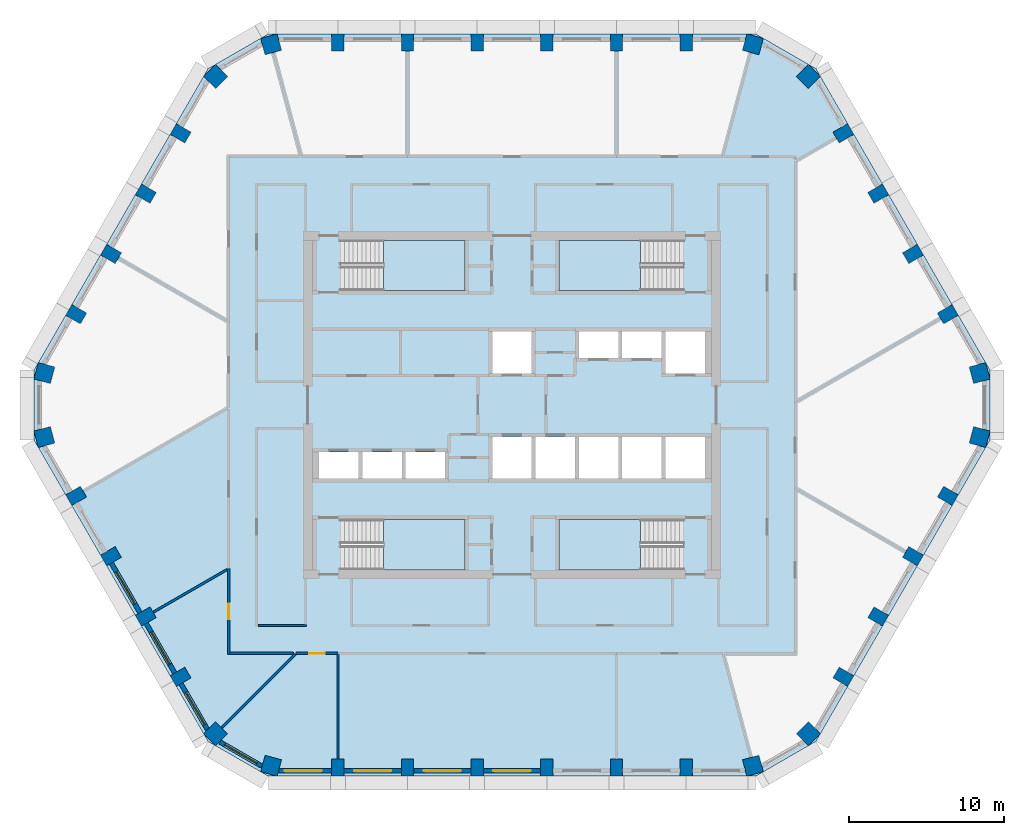
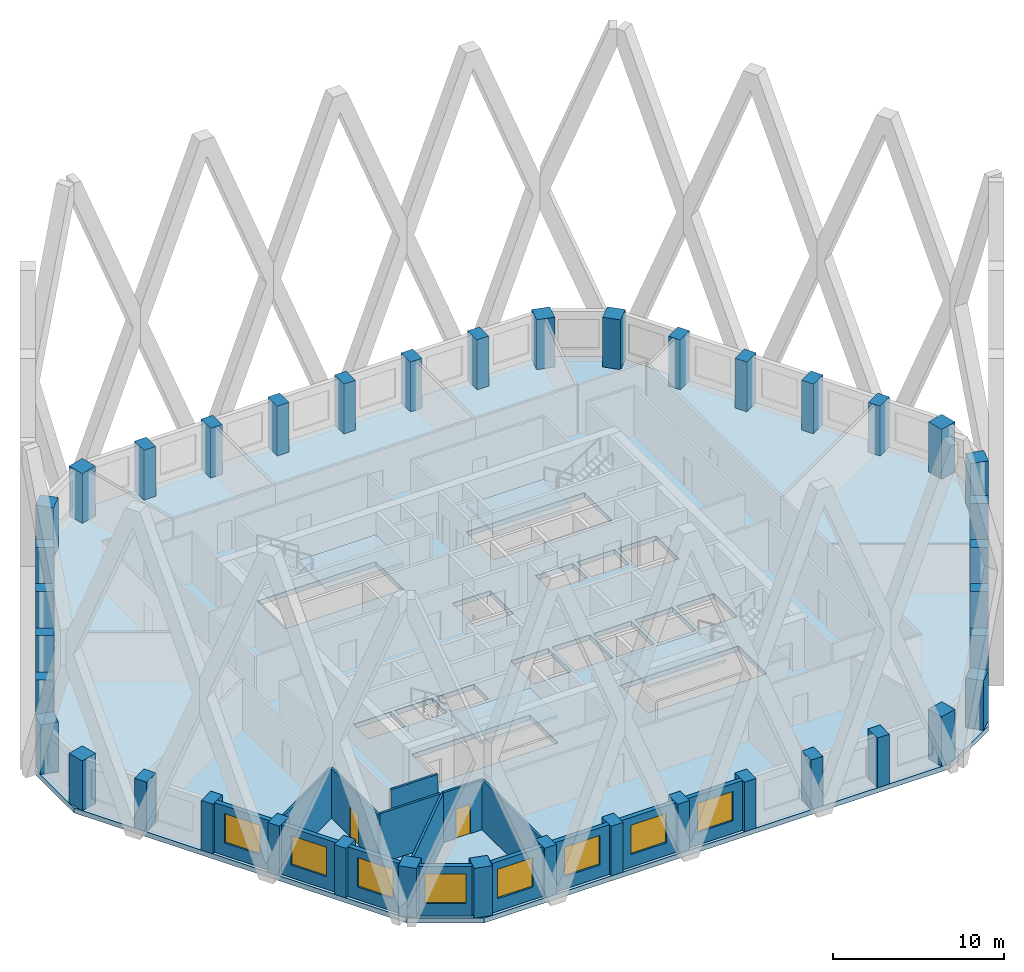
# One storey, part 1 of 16: 40 columns, 15 walls, 8 windows, 5 slabs, 2 doors, 10 openings, 4 elements without a shape of their own.
"""IFC4 building model written with IfcOpenShell, lengths in metres."""

from ifc_helpers import new_model, si_unit, direction, frame, frame_2d, origin, origin_2d, place, context, subcontext, project, spatial, polyline, rectangle, outline, extrude, material, layer, layer_set, material_profile, profile_set, type_object, element, fill, aggregate, save


model = new_model("IFC4")

# Units and contexts
model_context = context("Model", 3, precision=1e-05, world=origin(), true_north=direction((0.0, 1.0)))
body_context = subcontext(model_context, "Body", "Model", "MODEL_VIEW")
ifc_project = project(units=[si_unit("LENGTHUNIT", "METRE"), si_unit("AREAUNIT", "SQUARE_METRE"), si_unit("VOLUMEUNIT", "CUBIC_METRE"), si_unit("PLANEANGLEUNIT", "RADIAN"), si_unit("MASSUNIT", "GRAM", prefix="KILO")], contexts=[model_context])

# Site, building, storey
site_placement = place(None, origin())
site = spatial("IfcSite", under=ifc_project, at=site_placement, CompositionType="ELEMENT")
building_placement = place(site_placement, origin())
building = spatial("IfcBuilding", under=site, at=building_placement, Name="Dhurran Vertical Campus", CompositionType="ELEMENT")
storey_placement = place(building_placement, frame((0.0, 0.0, 183.89990234375)))
storey = spatial("IfcBuildingStorey", under=building, at=storey_placement, Name="L45", CompositionType="ELEMENT", Elevation=183.89990234375)

# Columns
ifc_material_1 = material(Name="Concrete C50/60", Category="concrete")
ifc_material_profile_1 = material_profile(ifc_material_1, rectangle(XDim=1.10009765625, YDim=1.10009765625, at=origin_2d()), Name="RC 1100x1100")
ifc_profile_set_1 = profile_set([ifc_material_profile_1], Name="Concrete C50/60")
column_type_1 = type_object("IfcColumnType", Name="FR COL RC 1100x1100 C50/60", PredefinedType="COLUMN", material=ifc_profile_set_1)
for number, where, z_axis, x_axis, name in (
    (1, (-15.569580078125, -23.31201171875, 0.0), (0.0, 0.0, 1.0), (0.965925826289, -0.258819045103, 0.0), "Perimeter pier PP4.00"),
    (2, (15.569580078125, -23.31201171875, 0.0), (0.0, 0.0, 1.0), (0.965925826289, 0.258819045103, 0.0), "Perimeter pier PP4.07"),
    (3, (19.154052734375, -21.242431640625, 0.0), (0.0, 0.0, 1.0), (0.707106781187, 0.707106781187, 0.0), "Perimeter pier PP4.08"),
    (4, (30.223388671875, -2.069580078125, 0.0), (0.0, 0.0, 1.0), (0.258819045103, 0.965925826289, 0.0), "Perimeter pier PP4.13"),
    (5, (30.223388671875, 2.069580078125, 0.0), (0.0, 0.0, 1.0), (-0.258819045103, 0.965925826289, 0.0), "Perimeter pier PP4.14"),
    (6, (19.154052734375, 21.242431640625, 0.0), (0.0, 0.0, 1.0), (-0.707106781187, 0.707106781187, 0.0), "Perimeter pier PP4.19"),
    (7, (15.569580078125, 23.31201171875, 0.0), (0.0, 0.0, 1.0), (-0.965925826289, 0.258819045103, 0.0), "Perimeter pier PP4.20"),
    (8, (-15.569580078125, 23.31201171875, 0.0), (0.0, 0.0, 1.0), (-0.965925826289, -0.258819045103, 0.0), "Perimeter pier PP4.27"),
    (9, (-19.154052734375, 21.242431640625, 0.0), (0.0, 0.0, 1.0), (-0.707106781187, -0.707106781187, 0.0), "Perimeter pier PP4.28"),
    (10, (-30.223388671875, 2.069580078125, 0.0), (0.0, 0.0, 1.0), (-0.258819045103, -0.965925826289, 0.0), "Perimeter pier PP4.33"),
    (11, (-30.223388671875, -2.069580078125, 0.0), (0.0, 0.0, 1.0), (0.258819045103, -0.965925826289, 0.0), "Perimeter pier PP4.34"),
    (12, (-19.154052734375, -21.242431640625, 0.0), (0.0, 0.0, 1.0), (0.707106781187, -0.707106781187, 0.0), "Perimeter pier PP4.39"),
):
    element("IfcColumn", number, at=place(storey_placement, frame(where, z_axis=z_axis, x_axis=x_axis)), inside=storey, type_object=column_type_1, Name=name, PredefinedType="COLUMN", context=body_context, shape_type="SweptSolid", body=[
        extrude(rectangle(XDim=1.10009765625, YDim=1.10009765625, at=origin_2d()), origin(), (0.0, 0.0, 1.0), 3.550048828125),
    ])
ifc_material_2 = material(Name="Concrete C50/60", Category="concrete")
ifc_material_profile_2 = material_profile(ifc_material_2, rectangle(XDim=0.800048828125, YDim=1.10009765625, at=origin_2d()), Name="RC 800x1100")
ifc_profile_set_2 = profile_set([ifc_material_profile_2], Name="Concrete C50/60")
column_type_2 = type_object("IfcColumnType", Name="FR COL RC 800x1100 C50/60", PredefinedType="COLUMN", material=ifc_profile_set_2)
for number, where, z_axis, x_axis, name in (
    (13, (-11.25, -23.435546875, 0.0), (0.0, 0.0, 1.0), (1.0, 0.0, 0.0), "Perimeter pier PP4.01"),
    (14, (-6.75, -23.435546875, 0.0), (0.0, 0.0, 1.0), (1.0, 0.0, 0.0), "Perimeter pier PP4.02"),
    (15, (-2.25, -23.435546875, 0.0), (0.0, 0.0, 1.0), (1.0, 0.0, 0.0), "Perimeter pier PP4.03"),
    (16, (2.25, -23.435546875, 0.0), (0.0, 0.0, 1.0), (1.0, 0.0, 0.0), "Perimeter pier PP4.04"),
    (17, (6.75, -23.435546875, 0.0), (0.0, 0.0, 1.0), (1.0, 0.0, 0.0), "Perimeter pier PP4.05"),
    (18, (11.25, -23.435546875, 0.0), (0.0, 0.0, 1.0), (1.0, 0.0, 0.0), "Perimeter pier PP4.06"),
    (19, (21.4208984375, -17.5634765625, 0.0), (0.0, 0.0, 1.0), (0.5, 0.866025403784, 0.0), "Perimeter pier PP4.09"),
    (20, (23.6708984375, -13.666259765625, 0.0), (0.0, 0.0, 1.0), (0.5, 0.866025403784, 0.0), "Perimeter pier PP4.10"),
    (21, (25.9208984375, -9.769287109375, 0.0), (0.0, 0.0, 1.0), (0.5, 0.866025403784, 0.0), "Perimeter pier PP4.11"),
    (22, (28.1708984375, -5.8720703125, 0.0), (0.0, 0.0, 1.0), (0.5, 0.866025403784, 0.0), "Perimeter pier PP4.12"),
    (23, (28.1708984375, 5.8720703125, 0.0), (0.0, 0.0, 1.0), (-0.5, 0.866025403784, 0.0), "Perimeter pier PP4.15"),
    (24, (25.9208984375, 9.769287109375, 0.0), (0.0, 0.0, 1.0), (-0.5, 0.866025403784, 0.0), "Perimeter pier PP4.16"),
    (25, (23.6708984375, 13.666259765625, 0.0), (0.0, 0.0, 1.0), (-0.5, 0.866025403784, 0.0), "Perimeter pier PP4.17"),
    (26, (21.4208984375, 17.5634765625, 0.0), (0.0, 0.0, 1.0), (-0.5, 0.866025403784, 0.0), "Perimeter pier PP4.18"),
    (27, (11.25, 23.435546875, 0.0), (0.0, 0.0, 1.0), (-1.0, 0.0, 0.0), "Perimeter pier PP4.21"),
    (28, (6.75, 23.435546875, 0.0), (0.0, 0.0, 1.0), (-1.0, 0.0, 0.0), "Perimeter pier PP4.22"),
    (29, (2.25, 23.435546875, 0.0), (0.0, 0.0, 1.0), (-1.0, 0.0, 0.0), "Perimeter pier PP4.23"),
    (30, (-2.25, 23.435546875, 0.0), (0.0, 0.0, 1.0), (-1.0, 0.0, 0.0), "Perimeter pier PP4.24"),
    (31, (-6.75, 23.435546875, 0.0), (0.0, 0.0, 1.0), (-1.0, 0.0, 0.0), "Perimeter pier PP4.25"),
    (32, (-11.25, 23.435546875, 0.0), (0.0, 0.0, 1.0), (-1.0, 0.0, 0.0), "Perimeter pier PP4.26"),
    (33, (-21.4208984375, 17.5634765625, 0.0), (0.0, 0.0, 1.0), (-0.5, -0.866025403784, 0.0), "Perimeter pier PP4.29"),
    (34, (-23.6708984375, 13.666259765625, 0.0), (0.0, 0.0, 1.0), (-0.5, -0.866025403784, 0.0), "Perimeter pier PP4.30"),
    (35, (-25.9208984375, 9.769287109375, 0.0), (0.0, 0.0, 1.0), (-0.5, -0.866025403784, 0.0), "Perimeter pier PP4.31"),
    (36, (-28.1708984375, 5.8720703125, 0.0), (0.0, 0.0, 1.0), (-0.5, -0.866025403784, 0.0), "Perimeter pier PP4.32"),
    (37, (-28.1708984375, -5.8720703125, 0.0), (0.0, 0.0, 1.0), (0.5, -0.866025403784, 0.0), "Perimeter pier PP4.35"),
    (38, (-25.9208984375, -9.769287109375, 0.0), (0.0, 0.0, 1.0), (0.5, -0.866025403784, 0.0), "Perimeter pier PP4.36"),
    (39, (-23.6708984375, -13.666259765625, 0.0), (0.0, 0.0, 1.0), (0.5, -0.866025403784, 0.0), "Perimeter pier PP4.37"),
    (40, (-21.4208984375, -17.5634765625, 0.0), (0.0, 0.0, 1.0), (0.5, -0.866025403784, 0.0), "Perimeter pier PP4.38"),
):
    element("IfcColumn", number, at=place(storey_placement, frame(where, z_axis=z_axis, x_axis=x_axis)), inside=storey, type_object=column_type_2, Name=name, PredefinedType="COLUMN", context=body_context, shape_type="SweptSolid", body=[
        extrude(rectangle(XDim=0.800048828125, YDim=1.10009765625, at=origin_2d()), origin(), (0.0, 0.0, 1.0), 3.550048828125),
    ])

# Slab
ifc_material_3 = material(Name="Concrete C40/50", Category="concrete")
ifc_layer_1 = layer(ifc_material_3, 0.35009765625)
ifc_layer_set_1 = layer_set([ifc_layer_1], Name="Concrete C40/50")
slab_type_1 = type_object("IfcSlabType", Name="FR POST-TENSIONED FLAT SLAB 350", PredefinedType="FLOOR", material=ifc_layer_set_1)
slab_1_placement = place(storey_placement, frame((0.0, 0.0, -0.349853515625)))
element("IfcSlab", 41, at=slab_1_placement, inside=storey, type_object=slab_type_1, Name="Floor slab L45", PredefinedType="FLOOR", context=body_context, shape_type="SweptSolid", body=[
    extrude(outline(polyline([(-15.75, -23.985595703125), (15.75, -23.985595703125), (19.647216796875, -21.735595703125), (30.897216796875, -2.25), (30.897216796875, 2.25), (19.647216796875, 21.735595703125), (15.75, 23.985595703125), (-15.75, 23.985595703125), (-19.647216796875, 21.735595703125), (-30.897216796875, 2.25), (-30.897216796875, -2.25), (-19.647216796875, -21.735595703125), (-15.75, -23.985595703125)]), holes=[polyline([(-1.27490234375, 2.050048828125), (1.27490234375, 2.050048828125), (1.27490234375, 4.75), (-1.27490234375, 4.75), (-1.27490234375, 2.050048828125)]), polyline([(9.925048828125, 2.050048828125), (12.47509765625, 2.050048828125), (12.47509765625, 4.75), (9.925048828125, 4.75), (9.925048828125, 2.050048828125)]), polyline([(-1.27490234375, -4.75), (1.27490234375, -4.75), (1.27490234375, -2.050048828125), (-1.27490234375, -2.050048828125), (-1.27490234375, -4.75)]), polyline([(1.52490234375, -4.75), (4.074951171875, -4.75), (4.074951171875, -2.050048828125), (1.52490234375, -2.050048828125), (1.52490234375, -4.75)]), polyline([(4.324951171875, -4.75), (6.875, -4.75), (6.875, -2.050048828125), (4.324951171875, -2.050048828125), (4.324951171875, -4.75)]), polyline([(7.125, -4.75), (9.675048828125, -4.75), (9.675048828125, -2.050048828125), (7.125, -2.050048828125), (7.125, -4.75)]), polyline([(9.925048828125, -4.75), (12.47509765625, -4.75), (12.47509765625, -2.050048828125), (9.925048828125, -2.050048828125), (9.925048828125, -4.75)]), polyline([(4.324951171875, 3.050048828125), (6.875, 3.050048828125), (6.875, 4.75), (4.324951171875, 4.75), (4.324951171875, 3.050048828125)]), polyline([(7.125, 3.050048828125), (9.675048828125, 3.050048828125), (9.675048828125, 4.75), (7.125, 4.75), (7.125, 3.050048828125)]), polyline([(-12.47509765625, -4.75), (-9.925048828125, -4.75), (-9.925048828125, -3.050048828125), (-12.47509765625, -3.050048828125), (-12.47509765625, -4.75)]), polyline([(-9.675048828125, -4.75), (-7.125, -4.75), (-7.125, -3.050048828125), (-9.675048828125, -3.050048828125), (-9.675048828125, -4.75)]), polyline([(-6.875, -4.75), (-4.324951171875, -4.75), (-4.324951171875, -3.050048828125), (-6.875, -3.050048828125), (-6.875, -4.75)]), polyline([(-11.050048828125, 7.39990234375), (-3.050048828125, 7.39990234375), (-3.050048828125, 10.64990234375), (-11.050048828125, 10.64990234375), (-11.050048828125, 7.39990234375)]), polyline([(3.050048828125, 7.39990234375), (11.050048828125, 7.39990234375), (11.050048828125, 10.64990234375), (3.050048828125, 10.64990234375), (3.050048828125, 7.39990234375)]), polyline([(-11.050048828125, -10.64990234375), (-3.050048828125, -10.64990234375), (-3.050048828125, -7.39990234375), (-11.050048828125, -7.39990234375), (-11.050048828125, -10.64990234375)]), polyline([(3.050048828125, -10.64990234375), (11.050048828125, -10.64990234375), (11.050048828125, -7.39990234375), (3.050048828125, -7.39990234375), (3.050048828125, -10.64990234375)])]), origin(), (0.0, 0.0, 1.0), 0.349853515625),
])

# Stair, slab
ifc_material_4 = material(Name="Concrete C40/50", Category="concrete")
stair_type = type_object("IfcStairType", Name="co-ST-CORE", PredefinedType="HALF_TURN_STAIR", material=ifc_material_4)
stair_1_placement = place(storey_placement, origin())
stair_1 = element("IfcStair", 42, at=stair_1_placement, inside=storey, type_object=stair_type, Name="L45 Protected exit stair ST1", PredefinedType="HALF_TURN_STAIR")
ifc_material_5 = material(Name="Concrete C40/50", Category="concrete")
ifc_layer_2 = layer(ifc_material_5, 0.199951171875)
ifc_layer_set_2 = layer_set([ifc_layer_2], Name="Concrete C40/50")
slab_type_2 = type_object("IfcSlabType", Name="co-SL-LANDING", PredefinedType="LANDING", material=ifc_layer_set_2)
slab_2_placement = place(storey_placement, frame((0.0, 0.0, 1.75)))
slab_2 = element("IfcSlab", 43, at=slab_2_placement, type_object=slab_type_2, Name="ST1 landing 1", PredefinedType="LANDING", context=body_context, shape_type="SweptSolid", body=[
    extrude(outline(polyline([(-8.300048828125, 7.39990234375), (-3.050048828125, 7.39990234375), (-3.050048828125, 10.64990234375), (-8.300048828125, 10.64990234375), (-8.300048828125, 7.39990234375)])), origin(), (0.0, 0.0, 1.0), 0.2001953125),
])
aggregate(stair_1, [slab_2])

stair_2_placement = place(storey_placement, origin())
stair_2 = element("IfcStair", 44, at=stair_2_placement, inside=storey, type_object=stair_type, Name="L45 Protected exit stair ST2", PredefinedType="HALF_TURN_STAIR")
slab_3_placement = place(storey_placement, frame((0.0, 0.0, 1.75)))
slab_3 = element("IfcSlab", 45, at=slab_3_placement, type_object=slab_type_2, Name="ST2 landing 1", PredefinedType="LANDING", context=body_context, shape_type="SweptSolid", body=[
    extrude(outline(polyline([(8.300048828125, 10.64990234375), (3.050048828125, 10.64990234375), (3.050048828125, 7.39990234375), (8.300048828125, 7.39990234375), (8.300048828125, 10.64990234375)])), origin(), (0.0, 0.0, 1.0), 0.2001953125),
])
aggregate(stair_2, [slab_3])

stair_3_placement = place(storey_placement, origin())
stair_3 = element("IfcStair", 46, at=stair_3_placement, inside=storey, type_object=stair_type, Name="L45 Protected exit stair ST3", PredefinedType="HALF_TURN_STAIR")
slab_4_placement = place(storey_placement, frame((0.0, 0.0, 1.75)))
slab_4 = element("IfcSlab", 47, at=slab_4_placement, type_object=slab_type_2, Name="ST3 landing 1", PredefinedType="LANDING", context=body_context, shape_type="SweptSolid", body=[
    extrude(outline(polyline([(-8.300048828125, -10.64990234375), (-3.050048828125, -10.64990234375), (-3.050048828125, -7.39990234375), (-8.300048828125, -7.39990234375), (-8.300048828125, -10.64990234375)])), origin(), (0.0, 0.0, 1.0), 0.2001953125),
])
aggregate(stair_3, [slab_4])

stair_4_placement = place(storey_placement, origin())
stair_4 = element("IfcStair", 48, at=stair_4_placement, inside=storey, type_object=stair_type, Name="L45 Protected exit stair ST4", PredefinedType="HALF_TURN_STAIR")
slab_5_placement = place(storey_placement, frame((0.0, 0.0, 1.75)))
slab_5 = element("IfcSlab", 49, at=slab_5_placement, type_object=slab_type_2, Name="ST4 landing 1", PredefinedType="LANDING", context=body_context, shape_type="SweptSolid", body=[
    extrude(outline(polyline([(8.300048828125, -7.39990234375), (3.050048828125, -7.39990234375), (3.050048828125, -10.64990234375), (8.300048828125, -10.64990234375), (8.300048828125, -7.39990234375)])), origin(), (0.0, 0.0, 1.0), 0.2001953125),
])
aggregate(stair_4, [slab_5])

# Wall, opening, window
ifc_material_6 = material(Name="Precast concrete C50/60", Category="concrete")
ifc_layer_3 = layer(ifc_material_6, 0.300048828125)
ifc_layer_set_3 = layer_set([ifc_layer_3], Name="Precast concrete C50/60")
wall_type_1 = type_object("IfcWallType", Name="Precast spandrel wall 300", PredefinedType="SOLIDWALL", material=ifc_layer_set_3)
wall_1_placement = place(storey_placement, frame((-15.04638671875, -23.635498046875, 0.0), z_axis=(0.0, 0.0, 1.0), x_axis=(1.0, 0.0, 0.0)))
wall_1 = element("IfcWall", 50, at=wall_1_placement, inside=storey, type_object=wall_type_1, Name="EW1 L45.00", PredefinedType="SOLIDWALL", context=body_context, shape_type="SweptSolid", body=[
    extrude(rectangle(XDim=3.39599609375, YDim=0.300048828125, at=frame_2d((1.697998046875, 0.0))), origin(), (0.0, 0.0, 1.0), 3.550048828125),
])
opening_1_placement = place(wall_1_placement, frame((0.34619140625, 0.0, 0.89990234375)))
opening_1 = element("IfcOpeningElement", 51, at=opening_1_placement, cuts=wall_1, Name="Opening WT1", PredefinedType="OPENING", context=body_context, shape_type="SweptSolid", body=[
    extrude(rectangle(XDim=2.39990234375, YDim=2.10009765625, at=frame_2d((1.199951171875, 1.050048828125))), frame((0.0, 0.159912109375, 0.0), z_axis=(0.0, -1.0, 0.0), x_axis=(1.0, 0.0, 0.0)), (0.0, 0.0, 1.0), 0.320068359375),
])
ifc_material_7 = material(Name="Aluminium frame with solar-control glass", Category="aluminium")
window_type = type_object("IfcWindowType", Name="Punched window 2400 x 2100", PartitioningType="SINGLE_PANEL", PredefinedType="WINDOW", material=ifc_material_7)
window_1_placement = place(opening_1_placement, origin())
window_1 = element("IfcWindow", 52, at=window_1_placement, inside=storey, type_object=window_type, Name="WT1 L45.00", OverallHeight=2.10009765625, OverallWidth=2.39990234375, PartitioningType="SINGLE_PANEL", PredefinedType="WINDOW", context=body_context, shape_type="SweptSolid", body=[
    extrude(rectangle(XDim=2.39990234375, YDim=2.10009765625, at=frame_2d((1.199951171875, 1.050048828125))), frame((0.0, 0.030029296875, 0.0), z_axis=(0.0, -1.0, 0.0), x_axis=(1.0, 0.0, 0.0)), (0.0, 0.0, 1.0), 0.06005859375),
])
fill(opening_1, window_1)

wall_2_placement = place(storey_placement, frame((-10.849609375, -23.635498046875, 0.0), z_axis=(0.0, 0.0, 1.0), x_axis=(1.0, 0.0, 0.0)))
wall_2 = element("IfcWall", 53, at=wall_2_placement, inside=storey, type_object=wall_type_1, Name="EW1 L45.01", PredefinedType="SOLIDWALL", context=body_context, shape_type="SweptSolid", body=[
    extrude(rectangle(XDim=3.69921875, YDim=0.300048828125, at=frame_2d((1.849609375, 0.0))), origin(), (0.0, 0.0, 1.0), 3.550048828125),
])
opening_2_placement = place(wall_2_placement, frame((0.6494140625, 0.0, 0.89990234375)))
opening_2 = element("IfcOpeningElement", 54, at=opening_2_placement, cuts=wall_2, Name="Opening WT1", PredefinedType="OPENING", context=body_context, shape_type="SweptSolid", body=[
    extrude(rectangle(XDim=2.39990234375, YDim=2.10009765625, at=frame_2d((1.199951171875, 1.050048828125))), frame((0.0, 0.159912109375, 0.0), z_axis=(0.0, -1.0, 0.0), x_axis=(1.0, 0.0, 0.0)), (0.0, 0.0, 1.0), 0.320068359375),
])
window_2_placement = place(opening_2_placement, origin())
window_2 = element("IfcWindow", 55, at=window_2_placement, inside=storey, type_object=window_type, Name="WT1 L45.01", OverallHeight=2.10009765625, OverallWidth=2.39990234375, PartitioningType="SINGLE_PANEL", PredefinedType="WINDOW", context=body_context, shape_type="SweptSolid", body=[
    extrude(rectangle(XDim=2.39990234375, YDim=2.10009765625, at=frame_2d((1.199951171875, 1.050048828125))), frame((0.0, 0.030029296875, 0.0), z_axis=(0.0, -1.0, 0.0), x_axis=(1.0, 0.0, 0.0)), (0.0, 0.0, 1.0), 0.06005859375),
])
fill(opening_2, window_2)

wall_3_placement = place(storey_placement, frame((-6.349609375, -23.635498046875, 0.0), z_axis=(0.0, 0.0, 1.0), x_axis=(1.0, 0.0, 0.0)))
wall_3 = element("IfcWall", 56, at=wall_3_placement, inside=storey, type_object=wall_type_1, Name="EW1 L45.02", PredefinedType="SOLIDWALL", context=body_context, shape_type="SweptSolid", body=[
    extrude(rectangle(XDim=3.69921875, YDim=0.300048828125, at=frame_2d((1.849609375, 0.0))), origin(), (0.0, 0.0, 1.0), 3.550048828125),
])
opening_3_placement = place(wall_3_placement, frame((0.6494140625, 0.0, 0.89990234375)))
opening_3 = element("IfcOpeningElement", 57, at=opening_3_placement, cuts=wall_3, Name="Opening WT1", PredefinedType="OPENING", context=body_context, shape_type="SweptSolid", body=[
    extrude(rectangle(XDim=2.39990234375, YDim=2.10009765625, at=frame_2d((1.199951171875, 1.050048828125))), frame((0.0, 0.159912109375, 0.0), z_axis=(0.0, -1.0, 0.0), x_axis=(1.0, 0.0, 0.0)), (0.0, 0.0, 1.0), 0.320068359375),
])
window_3_placement = place(opening_3_placement, origin())
window_3 = element("IfcWindow", 58, at=window_3_placement, inside=storey, type_object=window_type, Name="WT1 L45.02", OverallHeight=2.10009765625, OverallWidth=2.39990234375, PartitioningType="SINGLE_PANEL", PredefinedType="WINDOW", context=body_context, shape_type="SweptSolid", body=[
    extrude(rectangle(XDim=2.39990234375, YDim=2.10009765625, at=frame_2d((1.199951171875, 1.050048828125))), frame((0.0, 0.030029296875, 0.0), z_axis=(0.0, -1.0, 0.0), x_axis=(1.0, 0.0, 0.0)), (0.0, 0.0, 1.0), 0.06005859375),
])
fill(opening_3, window_3)

wall_4_placement = place(storey_placement, frame((-1.849609375, -23.635498046875, 0.0), z_axis=(0.0, 0.0, 1.0), x_axis=(1.0, 0.0, 0.0)))
wall_4 = element("IfcWall", 59, at=wall_4_placement, inside=storey, type_object=wall_type_1, Name="EW1 L45.03", PredefinedType="SOLIDWALL", context=body_context, shape_type="SweptSolid", body=[
    extrude(rectangle(XDim=3.69921875, YDim=0.300048828125, at=frame_2d((1.849609375, 0.0))), origin(), (0.0, 0.0, 1.0), 3.550048828125),
])
opening_4_placement = place(wall_4_placement, frame((0.6494140625, 0.0, 0.89990234375)))
opening_4 = element("IfcOpeningElement", 60, at=opening_4_placement, cuts=wall_4, Name="Opening WT1", PredefinedType="OPENING", context=body_context, shape_type="SweptSolid", body=[
    extrude(rectangle(XDim=2.39990234375, YDim=2.10009765625, at=frame_2d((1.199951171875, 1.050048828125))), frame((0.0, 0.159912109375, 0.0), z_axis=(0.0, -1.0, 0.0), x_axis=(1.0, 0.0, 0.0)), (0.0, 0.0, 1.0), 0.320068359375),
])
window_4_placement = place(opening_4_placement, origin())
window_4 = element("IfcWindow", 61, at=window_4_placement, inside=storey, type_object=window_type, Name="WT1 L45.03", OverallHeight=2.10009765625, OverallWidth=2.39990234375, PartitioningType="SINGLE_PANEL", PredefinedType="WINDOW", context=body_context, shape_type="SweptSolid", body=[
    extrude(rectangle(XDim=2.39990234375, YDim=2.10009765625, at=frame_2d((1.199951171875, 1.050048828125))), frame((0.0, 0.030029296875, 0.0), z_axis=(0.0, -1.0, 0.0), x_axis=(1.0, 0.0, 0.0)), (0.0, 0.0, 1.0), 0.06005859375),
])
fill(opening_4, window_4)

wall_5_placement = place(storey_placement, frame((-25.893798828125, -10.216064453125, 0.0), z_axis=(0.0, 0.0, 1.0), x_axis=(0.500029062817, -0.866008623709, 0.0)))
wall_5 = element("IfcWall", 62, at=wall_5_placement, inside=storey, type_object=wall_type_1, Name="EW1 L45.36", PredefinedType="SOLIDWALL", context=body_context, shape_type="SweptSolid", body=[
    extrude(rectangle(XDim=3.698974609375, YDim=0.300048828125, at=frame_2d((1.849609375, 0.0))), origin(), (0.0, 0.0, 1.0), 3.550048828125),
])
opening_5_placement = place(wall_5_placement, frame((0.6494140625, 0.0, 0.89990234375)))
opening_5 = element("IfcOpeningElement", 63, at=opening_5_placement, cuts=wall_5, Name="Opening WT1", PredefinedType="OPENING", context=body_context, shape_type="SweptSolid", body=[
    extrude(rectangle(XDim=2.39990234375, YDim=2.10009765625, at=frame_2d((1.199951171875, 1.050048828125))), frame((0.0, 0.159912109375, 0.0), z_axis=(0.0, -1.0, 0.0), x_axis=(1.0, 0.0, 0.0)), (0.0, 0.0, 1.0), 0.320068359375),
])
window_5_placement = place(opening_5_placement, origin())
window_5 = element("IfcWindow", 64, at=window_5_placement, inside=storey, type_object=window_type, Name="WT1 L45.36", OverallHeight=2.10009765625, OverallWidth=2.39990234375, PartitioningType="SINGLE_PANEL", PredefinedType="WINDOW", context=body_context, shape_type="SweptSolid", body=[
    extrude(rectangle(XDim=2.39990234375, YDim=2.10009765625, at=frame_2d((1.199951171875, 1.050048828125))), frame((0.0, 0.030029296875, 0.0), z_axis=(0.0, -1.0, 0.0), x_axis=(1.0, 0.0, 0.0)), (0.0, 0.0, 1.0), 0.06005859375),
])
fill(opening_5, window_5)

wall_6_placement = place(storey_placement, frame((-23.643798828125, -14.11328125, 0.0), z_axis=(0.0, 0.0, 1.0), x_axis=(0.500029062817, -0.866008623709, 0.0)))
wall_6 = element("IfcWall", 65, at=wall_6_placement, inside=storey, type_object=wall_type_1, Name="EW1 L45.37", PredefinedType="SOLIDWALL", context=body_context, shape_type="SweptSolid", body=[
    extrude(rectangle(XDim=3.698974609375, YDim=0.300048828125, at=frame_2d((1.849609375, 0.0))), origin(), (0.0, 0.0, 1.0), 3.550048828125),
])
opening_6_placement = place(wall_6_placement, frame((0.6494140625, 0.0, 0.89990234375)))
opening_6 = element("IfcOpeningElement", 66, at=opening_6_placement, cuts=wall_6, Name="Opening WT1", PredefinedType="OPENING", context=body_context, shape_type="SweptSolid", body=[
    extrude(rectangle(XDim=2.39990234375, YDim=2.10009765625, at=frame_2d((1.199951171875, 1.050048828125))), frame((0.0, 0.159912109375, 0.0), z_axis=(0.0, -1.0, 0.0), x_axis=(1.0, 0.0, 0.0)), (0.0, 0.0, 1.0), 0.320068359375),
])
window_6_placement = place(opening_6_placement, origin())
window_6 = element("IfcWindow", 67, at=window_6_placement, inside=storey, type_object=window_type, Name="WT1 L45.37", OverallHeight=2.10009765625, OverallWidth=2.39990234375, PartitioningType="SINGLE_PANEL", PredefinedType="WINDOW", context=body_context, shape_type="SweptSolid", body=[
    extrude(rectangle(XDim=2.39990234375, YDim=2.10009765625, at=frame_2d((1.199951171875, 1.050048828125))), frame((0.0, 0.030029296875, 0.0), z_axis=(0.0, -1.0, 0.0), x_axis=(1.0, 0.0, 0.0)), (0.0, 0.0, 1.0), 0.06005859375),
])
fill(opening_6, window_6)

wall_7_placement = place(storey_placement, frame((-21.393798828125, -18.01025390625, 0.0), z_axis=(0.0, 0.0, 1.0), x_axis=(0.500012868213, -0.866017974191, 0.0)))
wall_7 = element("IfcWall", 68, at=wall_7_placement, inside=storey, type_object=wall_type_1, Name="EW1 L45.38", PredefinedType="SOLIDWALL", context=body_context, shape_type="SweptSolid", body=[
    extrude(rectangle(XDim=3.39599609375, YDim=0.300048828125, at=frame_2d((1.697998046875, 0.0))), origin(), (0.0, 0.0, 1.0), 3.550048828125),
])
opening_7_placement = place(wall_7_placement, frame((0.6494140625, 0.0, 0.89990234375)))
opening_7 = element("IfcOpeningElement", 69, at=opening_7_placement, cuts=wall_7, Name="Opening WT1", PredefinedType="OPENING", context=body_context, shape_type="SweptSolid", body=[
    extrude(rectangle(XDim=2.39990234375, YDim=2.10009765625, at=frame_2d((1.199951171875, 1.050048828125))), frame((0.0, 0.159912109375, 0.0), z_axis=(0.0, -1.0, 0.0), x_axis=(1.0, 0.0, 0.0)), (0.0, 0.0, 1.0), 0.320068359375),
])
window_7_placement = place(opening_7_placement, origin())
window_7 = element("IfcWindow", 70, at=window_7_placement, inside=storey, type_object=window_type, Name="WT1 L45.38", OverallHeight=2.10009765625, OverallWidth=2.39990234375, PartitioningType="SINGLE_PANEL", PredefinedType="WINDOW", context=body_context, shape_type="SweptSolid", body=[
    extrude(rectangle(XDim=2.39990234375, YDim=2.10009765625, at=frame_2d((1.199951171875, 1.050048828125))), frame((0.0, 0.030029296875, 0.0), z_axis=(0.0, -1.0, 0.0), x_axis=(1.0, 0.0, 0.0)), (0.0, 0.0, 1.0), 0.06005859375),
])
fill(opening_7, window_7)

wall_8_placement = place(storey_placement, frame((-18.86279296875, -21.7841796875, 0.0), z_axis=(0.0, 0.0, 1.0), x_axis=(0.865994975416, -0.500052699777, 0.0)))
wall_8 = element("IfcWall", 71, at=wall_8_placement, inside=storey, type_object=wall_type_1, Name="EW1 L45.39", PredefinedType="SOLIDWALL", context=body_context, shape_type="SweptSolid", body=[
    extrude(rectangle(XDim=3.093017578125, YDim=0.300048828125, at=frame_2d((1.54638671875, 0.0))), origin(), (0.0, 0.0, 1.0), 3.550048828125),
])
opening_8_placement = place(wall_8_placement, frame((0.34619140625, 0.0, 0.89990234375)))
opening_8 = element("IfcOpeningElement", 72, at=opening_8_placement, cuts=wall_8, Name="Opening WT1", PredefinedType="OPENING", context=body_context, shape_type="SweptSolid", body=[
    extrude(rectangle(XDim=2.39990234375, YDim=2.10009765625, at=frame_2d((1.199951171875, 1.050048828125))), frame((0.0, 0.159912109375, 0.0), z_axis=(0.0, -1.0, 0.0), x_axis=(1.0, 0.0, 0.0)), (0.0, 0.0, 1.0), 0.320068359375),
])
window_8_placement = place(opening_8_placement, origin())
window_8 = element("IfcWindow", 73, at=window_8_placement, inside=storey, type_object=window_type, Name="WT1 L45.39", OverallHeight=2.10009765625, OverallWidth=2.39990234375, PartitioningType="SINGLE_PANEL", PredefinedType="WINDOW", context=body_context, shape_type="SweptSolid", body=[
    extrude(rectangle(XDim=2.39990234375, YDim=2.10009765625, at=frame_2d((1.199951171875, 1.050048828125))), frame((0.0, 0.030029296875, 0.0), z_axis=(0.0, -1.0, 0.0), x_axis=(1.0, 0.0, 0.0)), (0.0, 0.0, 1.0), 0.06005859375),
])
fill(opening_8, window_8)

# Wall, opening, door
ifc_material_8 = material(Name="Gypsum board corridor wall on steel studs", Category="steel")
ifc_layer_4 = layer(ifc_material_8, 0.14990234375)
ifc_layer_set_4 = layer_set([ifc_layer_4], Name="Gypsum board corridor wall on steel studs")
wall_type_2 = type_object("IfcWallType", Name="fl-CW-150 corridor wall", PredefinedType="PARTITIONING", material=ifc_layer_set_4)
wall_9_placement = place(storey_placement, frame((-18.300048828125, -10.56591796875, 0.0), z_axis=(0.0, 0.0, 1.0), x_axis=(0.0, -1.0, 0.0)))
wall_9 = element("IfcWall", 74, at=wall_9_placement, inside=storey, type_object=wall_type_2, Name="Partition 45-05", PredefinedType="PARTITIONING", context=body_context, shape_type="SweptSolid", body=[
    extrude(rectangle(XDim=5.55908203125, YDim=0.14990234375, at=frame_2d((2.779541015625, 0.0))), origin(), (0.0, 0.0, 1.0), 3.550048828125),
])
opening_9_placement = place(wall_9_placement, frame((2.279541015625, 0.0, 0.0)))
opening_9 = element("IfcOpeningElement", 75, at=opening_9_placement, cuts=wall_9, Name="Opening T13.04", PredefinedType="OPENING", context=body_context, shape_type="SweptSolid", body=[
    extrude(rectangle(XDim=1.0, YDim=2.10009765625, at=frame_2d((0.5, 1.050048828125))), frame((0.0, 0.0849609375, 0.0), z_axis=(0.0, -1.0, 0.0), x_axis=(1.0, 0.0, 0.0)), (0.0, 0.0, 1.0), 0.169921875),
])
ifc_material_9 = material(Name="Solid-core timber door set, fire-rated", Category="wood")
door_type = type_object("IfcDoorType", Name="fl-D-1000x2100", OperationType="SINGLE_SWING_LEFT", PredefinedType="DOOR", material=ifc_material_9)
door_1_placement = place(opening_9_placement, origin())
door_1 = element("IfcDoor", 76, at=door_1_placement, inside=storey, type_object=door_type, Name="Door 45.04", OperationType="SINGLE_SWING_RIGHT", OverallHeight=2.10009765625, OverallWidth=1.0, PredefinedType="DOOR", context=body_context, shape_type="SweptSolid", body=[
    extrude(rectangle(XDim=1.0, YDim=2.10009765625, at=frame_2d((0.5, 1.050048828125))), frame((0.0, 0.02490234375, 0.0), z_axis=(0.0, -1.0, 0.0), x_axis=(1.0, 0.0, 0.0)), (0.0, 0.0, 1.0), 0.050048828125),
])
fill(opening_9, door_1)

# Walls
wall_10_placement = place(storey_placement, frame((-18.22509765625, -16.050048828125, 0.0), z_axis=(0.0, 0.0, 1.0), x_axis=(1.0, 0.0, 0.0)))
element("IfcWall", 77, at=wall_10_placement, inside=storey, type_object=wall_type_2, Name="Partition 45-06", PredefinedType="PARTITIONING", context=body_context, shape_type="SweptSolid", body=[
    extrude(rectangle(XDim=4.088134765625, YDim=0.14990234375, at=frame_2d((2.0439453125, 0.0))), origin(), (0.0, 0.0, 1.0), 3.550048828125),
])
wall_11_placement = place(storey_placement, frame((-13.27490234375, -14.25, 0.0), z_axis=(0.0, 0.0, 1.0), x_axis=(-1.0, 0.0, 0.0)))
element("IfcWall", 78, at=wall_11_placement, inside=storey, type_object=wall_type_2, Name="Partition 45-12", PredefinedType="PARTITIONING", context=body_context, shape_type="SweptSolid", body=[
    extrude(rectangle(XDim=3.150146484375, YDim=0.14990234375, at=frame_2d((1.5751953125, 0.0))), origin(), (0.0, 0.0, 1.0), 3.550048828125),
])

# Wall, opening, door
wall_12_placement = place(storey_placement, frame((-13.9619140625, -16.050048828125, 0.0), z_axis=(0.0, 0.0, 1.0), x_axis=(1.0, 0.0, 0.0)))
wall_12 = element("IfcWall", 79, at=wall_12_placement, inside=storey, type_object=wall_type_2, Name="Partition 45-20", PredefinedType="PARTITIONING", context=body_context, shape_type="SweptSolid", body=[
    extrude(rectangle(XDim=2.7119140625, YDim=0.14990234375, at=frame_2d((1.35595703125, 0.0))), origin(), (0.0, 0.0, 1.0), 3.550048828125),
])
opening_10_placement = place(wall_12_placement, frame((0.85595703125, 0.0, 0.0)))
opening_10 = element("IfcOpeningElement", 80, at=opening_10_placement, cuts=wall_12, Name="Opening T13.08", PredefinedType="OPENING", context=body_context, shape_type="SweptSolid", body=[
    extrude(rectangle(XDim=1.0, YDim=2.10009765625, at=frame_2d((0.5, 1.050048828125))), frame((0.0, 0.0849609375, 0.0), z_axis=(0.0, -1.0, 0.0), x_axis=(1.0, 0.0, 0.0)), (0.0, 0.0, 1.0), 0.169921875),
])
door_2_placement = place(opening_10_placement, origin())
door_2 = element("IfcDoor", 81, at=door_2_placement, inside=storey, type_object=door_type, Name="Door 45.08", OperationType="SINGLE_SWING_LEFT", OverallHeight=2.10009765625, OverallWidth=1.0, PredefinedType="DOOR", context=body_context, shape_type="SweptSolid", body=[
    extrude(rectangle(XDim=1.0, YDim=2.10009765625, at=frame_2d((0.5, 1.050048828125))), frame((0.0, 0.02490234375, 0.0), z_axis=(0.0, -1.0, 0.0), x_axis=(1.0, 0.0, 0.0)), (0.0, 0.0, 1.0), 0.050048828125),
])
fill(opening_10, door_2)

# Walls
ifc_material_10 = material(Name="Gypsum board partition on steel studs", Category="steel")
ifc_layer_5 = layer(ifc_material_10, 0.14990234375)
ifc_layer_set_5 = layer_set([ifc_layer_5], Name="Gypsum board partition on steel studs")
wall_type_3 = type_object("IfcWallType", Name="fl-PW-150 fixed partition", PredefinedType="PARTITIONING", material=ifc_layer_set_5)
wall_13_placement = place(storey_placement, frame((-18.41259765625, -10.631103515625, 0.0), z_axis=(0.0, 0.0, 1.0), x_axis=(-0.866074743691, -0.499914531035, 0.0)))
element("IfcWall", 82, at=wall_13_placement, inside=storey, type_object=wall_type_3, Name="Partition 45-03", PredefinedType="PARTITIONING", context=body_context, shape_type="SweptSolid", body=[
    extrude(rectangle(XDim=5.50146484375, YDim=0.14990234375, at=frame_2d((2.750732421875, 0.0))), origin(), (0.0, 0.0, 1.0), 3.550048828125),
])
wall_14_placement = place(storey_placement, frame((-14.014892578125, -16.10302734375, 0.0), z_axis=(0.0, 0.0, 1.0), x_axis=(-0.707052104459, -0.707161453686, 0.0)))
element("IfcWall", 83, at=wall_14_placement, inside=storey, type_object=wall_type_3, Name="Partition 45-04", PredefinedType="PARTITIONING", context=body_context, shape_type="SweptSolid", body=[
    extrude(rectangle(XDim=6.697998046875, YDim=0.14990234375, at=frame_2d((3.34912109375, 0.0))), origin(), (0.0, 0.0, 1.0), 3.550048828125),
])
wall_15_placement = place(storey_placement, frame((-11.25, -16.125, 0.0), z_axis=(0.0, 0.0, 1.0), x_axis=(0.0, -1.0, 0.0)))
element("IfcWall", 84, at=wall_15_placement, inside=storey, type_object=wall_type_3, Name="Partition 45-24", PredefinedType="PARTITIONING", context=body_context, shape_type="SweptSolid", body=[
    extrude(rectangle(XDim=6.740478515625, YDim=0.14990234375, at=frame_2d((3.3701171875, 0.0))), origin(), (0.0, 0.0, 1.0), 3.550048828125),
])

save(model, "model.ifc")
